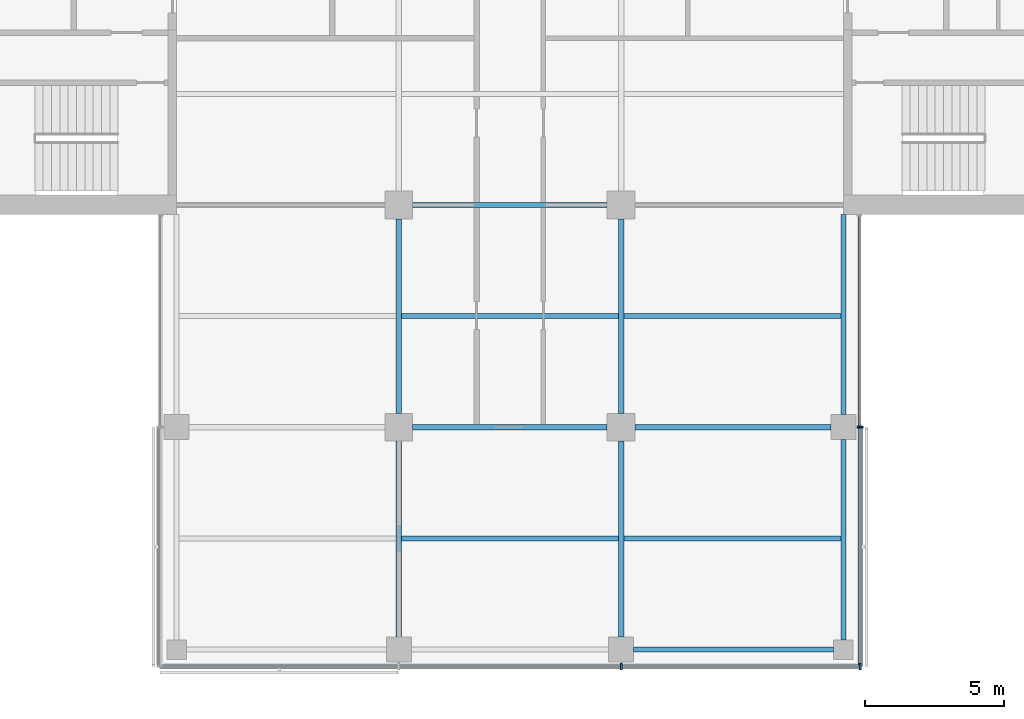
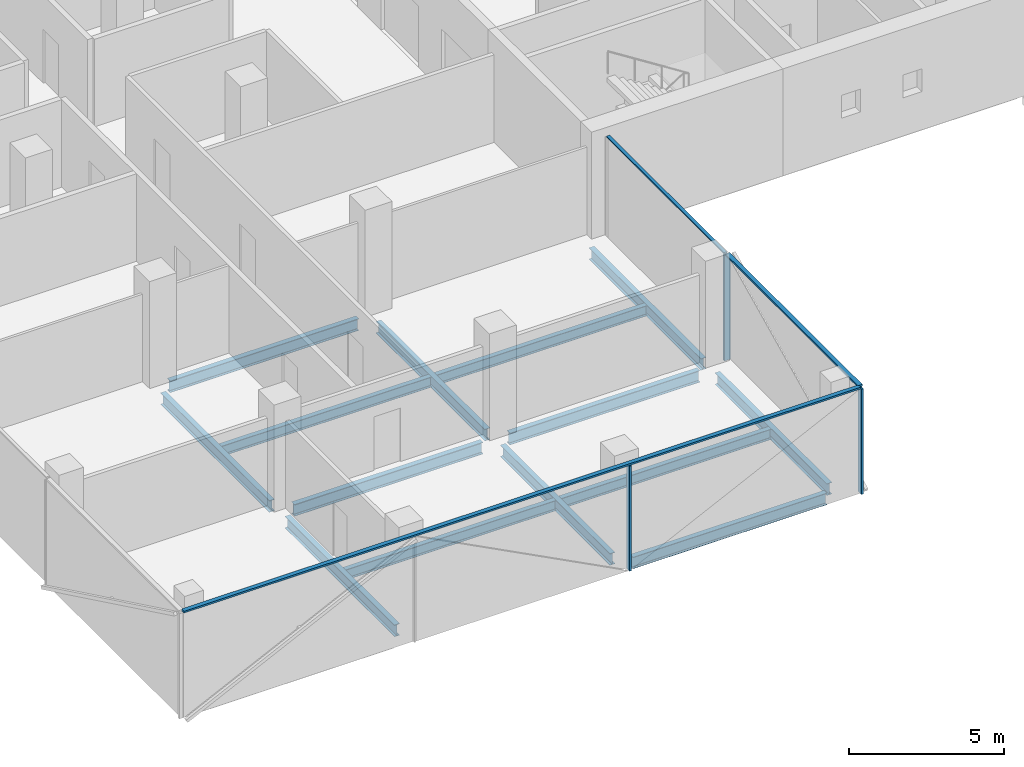
# One storey, part 5 of 22: 14 beams, 7 members, 3 elements without a shape of their own.
"""IFC4 building model written with IfcOpenShell, lengths in metres."""

import ifcopenshell
import ifcopenshell.guid

model = None  # the IFC model being written
_history = None  # IfcOwnerHistory: only IFC2X3 demands one
_inside = {}  # id of a spatial element -> (the spatial element, [elements in it])
_under = {}  # id of a project, library or spatial element -> (it, [spatial elements below it])
_declared = {}  # id of a project -> (the project, [libraries it declares])
_typed = {}  # id of a type object -> (the type object, [elements of that type])
_made_of = {}  # id of a material, layer set ... -> (it, [elements and type objects made of it])


def new_model(schema):
    """Start an empty IFC model of exactly this schema.

    Asked for "IFC4X3", IfcOpenShell would pick the latest addendum, in which some entities
    have other attributes; the version numbers below select the first issue.
    IFC2X3 requires an IfcOwnerHistory on every rooted entity: one is made here for all.
    """
    global model, _history
    if schema == "IFC4X3":
        model = ifcopenshell.file(schema_version=(4, 3, 0, 0))
    else:
        model = ifcopenshell.file(schema=schema)
    _inside.clear()
    _under.clear()
    _declared.clear()
    _typed.clear()
    _made_of.clear()
    _history = None
    if model.schema == "IFC2X3":
        org = make("IfcOrganization", Name="unknown")
        user = make(
            "IfcPersonAndOrganization",
            ThePerson=make("IfcPerson", FamilyName="unknown"),
            TheOrganization=org,
        )
        app = make(
            "IfcApplication",
            ApplicationDeveloper=org,
            Version="unknown",
            ApplicationFullName="unknown",
            ApplicationIdentifier="unknown",
        )
        _history = make(
            "IfcOwnerHistory",
            OwningUser=user,
            OwningApplication=app,
            ChangeAction="ADDED",
            CreationDate=0,
        )
    return model


def make(cls, **values):
    """One entity of the class cls with the attributes given. An attribute that is None is left unset."""
    return model.create_entity(
        cls, **{name: value for name, value in values.items() if value is not None}
    )


def rooted(cls, **values):
    """An entity with a GlobalId (a new one), such as an element, a storey or a relation."""
    return make(cls, GlobalId=ifcopenshell.guid.new(), OwnerHistory=_history, **values)


def si_unit(unit_type, name, prefix=None):
    """IfcSIUnit, for example si_unit("LENGTHUNIT", "METRE", prefix="MILLI")."""
    return make("IfcSIUnit", UnitType=unit_type, Prefix=prefix, Name=name)


def assignment(units):
    """IfcUnitAssignment: the units of a project."""
    return None if units is None else make("IfcUnitAssignment", Units=units)


def point(xyz):
    """IfcCartesianPoint."""
    return None if xyz is None else make("IfcCartesianPoint", Coordinates=xyz)


def direction(xyz):
    """IfcDirection."""
    return None if xyz is None else make("IfcDirection", DirectionRatios=xyz)


def frame(location, z_axis=None, x_axis=None):
    """IfcAxis2Placement3D, a coordinate frame: its origin and axes. An axis left out is left unset."""
    return make(
        "IfcAxis2Placement3D",
        Location=point(location),
        Axis=direction(z_axis),
        RefDirection=direction(x_axis),
    )


def frame_2d(location, x_axis=None):
    """IfcAxis2Placement2D, a coordinate frame in the plane: its origin and x axis."""
    return make(
        "IfcAxis2Placement2D", Location=point(location), RefDirection=direction(x_axis)
    )


def origin():
    """The frame at (0, 0, 0) with its axes left unset."""
    return frame((0.0, 0.0, 0.0))


def origin_2d():
    """The frame at (0, 0) in the plane with its x axis left unset."""
    return frame_2d((0.0, 0.0))


def place(relative_to, where):
    """IfcLocalPlacement: puts the frame where relative to a parent placement (None: the world)."""
    return make(
        "IfcLocalPlacement", PlacementRelTo=relative_to, RelativePlacement=where
    )


def context(
    kind, dimensions, precision=None, world=None, true_north=None, identifier=None
):
    """IfcGeometricRepresentationContext, for example the 3D "Model" context."""
    return make(
        "IfcGeometricRepresentationContext",
        ContextIdentifier=identifier,
        ContextType=kind,
        CoordinateSpaceDimension=dimensions,
        Precision=precision,
        WorldCoordinateSystem=world,
        TrueNorth=true_north,
    )


def subcontext(parent, identifier, kind, view, scale=None):
    """IfcGeometricRepresentationSubContext, for example "Body" below "Model"."""
    return make(
        "IfcGeometricRepresentationSubContext",
        ContextIdentifier=identifier,
        ContextType=kind,
        ParentContext=parent,
        TargetScale=scale,
        TargetView=view,
    )


def project(units=None, contexts=None):
    """IfcProject with its units and contexts."""
    return rooted(
        "IfcProject",
        Name="project",
        RepresentationContexts=contexts,
        UnitsInContext=assignment(units),
    )


def spatial(cls, under=None, at=None, **own):
    """A site, building, storey or space (cls), placed at a placement, below another one or the project."""
    s = rooted(cls, ObjectPlacement=at, **own)
    if under is not None:
        _under.setdefault(under.id(), (under, []))[1].append(s)
    return s


def profile(cls, at=None, kind="AREA", **sizes):
    """A parametric profile (cls). Its sizes go by their IFC names, for example OverallWidth=200.0."""
    return make(cls, ProfileType=kind, Position=at, **sizes)


def rectangle(**sizes):
    """IfcRectangleProfileDef."""
    return profile("IfcRectangleProfileDef", **sizes)


def i_section(**sizes):
    """IfcIShapeProfileDef."""
    return profile("IfcIShapeProfileDef", **sizes)


def extrude(swept, where, along, depth):
    """IfcExtrudedAreaSolid: the profile swept, set in the frame where, extruded along a direction by depth."""
    return make(
        "IfcExtrudedAreaSolid",
        SweptArea=swept,
        Position=where,
        ExtrudedDirection=direction(along),
        Depth=depth,
    )


def shape(context_of_items, identifier, shape_type, items):
    """IfcShapeRepresentation: the items that make up one representation, for example the "Body"."""
    return make(
        "IfcShapeRepresentation",
        ContextOfItems=context_of_items,
        RepresentationIdentifier=identifier,
        RepresentationType=shape_type,
        Items=items,
    )


def material(Name=None, Category=None):
    """IfcMaterial."""
    return make("IfcMaterial", Name=Name, Category=Category)


def material_profile(
    of_material, cross_section, Name=None, Category=None, Priority=None
):
    """IfcMaterialProfile: a cross section and its material."""
    return make(
        "IfcMaterialProfile",
        Name=Name,
        Material=of_material,
        Profile=cross_section,
        Priority=Priority,
        Category=Category,
    )


def profile_set(profiles, Name=None, composite=None):
    """IfcMaterialProfileSet."""
    return make(
        "IfcMaterialProfileSet",
        Name=Name,
        MaterialProfiles=profiles,
        CompositeProfile=composite,
    )


def made_of(thing, what):
    """Note that an element or type object is made of a material, layer set ...; save() writes the relation."""
    if what is not None:
        _made_of.setdefault(what.id(), (what, []))[1].append(thing)
    return thing


def type_object(cls, material=None, **own):
    """A type object (cls), such as IfcWallType, which elements share."""
    return made_of(rooted(cls, **own), material)


def element(
    cls,
    number,
    at=None,
    inside=None,
    cuts=None,
    type_object=None,
    material=None,
    context=None,
    identifier="Body",
    shape_type=None,
    held_by="IfcProductDefinitionShape",
    body=None,
    shapes=None,
    **own,
):
    """One element of the class cls, such as IfcWall. Its Tag is "e" and its number.

    at: its placement. inside: the storey or other place that contains it. cuts: it is an
    opening in that element (IfcRelVoidsElement). A single representation is given by context,
    identifier, shape_type and body (its items); several are given by shapes. held_by: the class
    of the entity that holds the representations. save() writes the other relations.
    """
    e = rooted(cls, Tag="e%d" % number, ObjectPlacement=at, **own)
    if body is not None:
        shapes = [shape(context, identifier, shape_type, body)]
    if shapes is not None:
        e.Representation = make(held_by, Representations=shapes)
    if inside is not None:
        _inside.setdefault(inside.id(), (inside, []))[1].append(e)
    if cuts is not None:
        rooted(
            "IfcRelVoidsElement", RelatingBuildingElement=cuts, RelatedOpeningElement=e
        )
    if type_object is not None:
        _typed.setdefault(type_object.id(), (type_object, []))[1].append(e)
    return made_of(e, material)


def aggregate(whole, parts):
    """IfcRelAggregates: a whole, such as a stair, and the parts it consists of."""
    return rooted("IfcRelAggregates", RelatingObject=whole, RelatedObjects=parts)


def save(model, path):
    """Write the relations noted so far, then the file.

    IfcRelAggregates (storeys below a building ...), IfcRelContainedInSpatialStructure (elements
    in a storey), IfcRelDefinesByType, IfcRelAssociatesMaterial and IfcRelDeclares: one each for
    every whole, place, type object, material and project.
    """
    for whole, parts in _under.values():
        aggregate(whole, parts)
    for where, things in _inside.values():
        rooted(
            "IfcRelContainedInSpatialStructure",
            RelatedElements=things,
            RelatingStructure=where,
        )
    for kind, things in _typed.values():
        rooted("IfcRelDefinesByType", RelatedObjects=things, RelatingType=kind)
    for what, things in _made_of.values():
        rooted("IfcRelAssociatesMaterial", RelatedObjects=things, RelatingMaterial=what)
    for by, libraries in _declared.values():
        rooted("IfcRelDeclares", RelatingContext=by, RelatedDefinitions=libraries)
    model.write(path)


model = new_model("IFC4")

# Units and contexts
model_context = context("Model", 3, precision=1e-05, world=origin(), true_north=direction((0.0, 1.0)))
body_context = subcontext(model_context, "Body", "Model", "MODEL_VIEW")
ifc_project = project(units=[si_unit("LENGTHUNIT", "METRE"), si_unit("AREAUNIT", "SQUARE_METRE"), si_unit("VOLUMEUNIT", "CUBIC_METRE"), si_unit("PLANEANGLEUNIT", "RADIAN"), si_unit("MASSUNIT", "GRAM", prefix="KILO")], contexts=[model_context])

# Site, building, storey
site_placement = place(None, origin())
site = spatial("IfcSite", under=ifc_project, at=site_placement, CompositionType="ELEMENT")
building_placement = place(site_placement, origin())
building = spatial("IfcBuilding", under=site, at=building_placement, Name="Crosswind Convention Tower", CompositionType="ELEMENT")
storey_placement = place(building_placement, frame((0.0, 0.0, 129.5)))
storey = spatial("IfcBuildingStorey", under=building, at=storey_placement, Name="L26", CompositionType="ELEMENT", Elevation=129.5)

# Beams
ifc_material_1 = material(Name="Steel S355", Category="steel")
ifc_material_profile_1 = material_profile(ifc_material_1, i_section(OverallWidth=0.18994140625, OverallDepth=0.45361328125, WebThickness=0.008544921875, FlangeThickness=0.0126953125, FilletRadius=0.01025390625, at=origin_2d()), Name="UB 457x191x67")
ifc_profile_set_1 = profile_set([ifc_material_profile_1], Name="Steel S355")
beam_type_1 = type_object("IfcBeamType", Name="Edge beam UB 457x191x67", PredefinedType="SPANDREL", material=ifc_profile_set_1)
for number, where, z_axis, x_axis, name in (
    (1, (129.449951171875, 72.0, -0.52685546875), (1.0, 0.0, 0.0), (0.0, 1.0, 0.0), "B16 L26 edge beam 14"),
    (2, (137.0, 72.35009765625, -0.52685546875), (0.0, 1.0, 0.0), (-1.0, 0.0, 0.0), "B16 L26 edge beam 16"),
    (3, (137.0, 80.449951171875, -0.52685546875), (0.0, 1.0, 0.0), (-1.0, 0.0, 0.0), "B16 L26 edge beam 17"),
):
    element("IfcBeam", number, at=place(storey_placement, frame(where, z_axis=z_axis, x_axis=x_axis)), inside=storey, type_object=beam_type_1, Name=name, PredefinedType="SPANDREL", context=body_context, shape_type="SweptSolid", body=[
        extrude(i_section(OverallWidth=0.18994140625, OverallDepth=0.45361328125, WebThickness=0.008544921875, FlangeThickness=0.0126953125, FilletRadius=0.01025390625, at=origin_2d()), origin(), (0.0, 0.0, 1.0), 7.199951171875),
    ])
ifc_material_profile_2 = material_profile(ifc_material_1, i_section(OverallWidth=0.19140625, OverallDepth=0.460205078125, WebThickness=0.010009765625, FlangeThickness=0.01611328125, FilletRadius=0.01025390625, at=origin_2d()), Name="UB 457x191x82")
ifc_profile_set_2 = profile_set([ifc_material_profile_2], Name="Steel S355")
beam_type_2 = type_object("IfcBeamType", Name="Girder UB 457x191x82", PredefinedType="BEAM", material=ifc_profile_set_2)
beam_1_placement = place(storey_placement, frame((121.0, 72.449951171875, -0.530029296875), z_axis=(0.0, 1.0, 0.0), x_axis=(-1.0, 0.0, 0.0)))
element("IfcBeam", 4, at=beam_1_placement, inside=storey, type_object=beam_type_2, Name="B3 L26 girder 3", PredefinedType="BEAM", context=body_context, shape_type="SweptSolid", body=[
    extrude(i_section(OverallWidth=0.19140625, OverallDepth=0.460205078125, WebThickness=0.010009765625, FlangeThickness=0.01611328125, FilletRadius=0.01025390625, at=origin_2d()), origin(), (0.0, 0.0, 1.0), 7.050048828125),
])
for number, where, z_axis, x_axis, name in (
    (5, (121.0, 80.5, -0.530029296875), (0.0, 1.0, 0.0), (-1.0, 0.0, 0.0), "B3 L26 girder 4"),
    (6, (121.5, 80.0, -0.530029296875), (1.0, 0.0, 0.0), (0.0, 1.0, 0.0), "B3 L26 girder 10"),
    (7, (121.5, 88.0, -0.530029296875), (1.0, 0.0, 0.0), (0.0, 1.0, 0.0), "B3 L26 girder 11"),
):
    element("IfcBeam", number, at=place(storey_placement, frame(where, z_axis=z_axis, x_axis=x_axis)), inside=storey, type_object=beam_type_2, Name=name, PredefinedType="BEAM", context=body_context, shape_type="SweptSolid", body=[
        extrude(i_section(OverallWidth=0.19140625, OverallDepth=0.460205078125, WebThickness=0.010009765625, FlangeThickness=0.01611328125, FilletRadius=0.01025390625, at=origin_2d()), origin(), (0.0, 0.0, 1.0), 7.0),
    ])
beam_2_placement = place(storey_placement, frame((129.0, 72.449951171875, -0.530029296875), z_axis=(0.0, 1.0, 0.0), x_axis=(-1.0, 0.0, 0.0)))
element("IfcBeam", 8, at=beam_2_placement, inside=storey, type_object=beam_type_2, Name="B3 L26 girder 16", PredefinedType="BEAM", context=body_context, shape_type="SweptSolid", body=[
    extrude(i_section(OverallWidth=0.19140625, OverallDepth=0.460205078125, WebThickness=0.010009765625, FlangeThickness=0.01611328125, FilletRadius=0.01025390625, at=origin_2d()), origin(), (0.0, 0.0, 1.0), 7.050048828125),
])
beam_3_placement = place(storey_placement, frame((129.0, 80.5, -0.530029296875), z_axis=(0.0, 1.0, 0.0), x_axis=(-1.0, 0.0, 0.0)))
element("IfcBeam", 9, at=beam_3_placement, inside=storey, type_object=beam_type_2, Name="B3 L26 girder 17", PredefinedType="BEAM", context=body_context, shape_type="SweptSolid", body=[
    extrude(i_section(OverallWidth=0.19140625, OverallDepth=0.460205078125, WebThickness=0.010009765625, FlangeThickness=0.01611328125, FilletRadius=0.01025390625, at=origin_2d()), origin(), (0.0, 0.0, 1.0), 7.0),
])
beam_4_placement = place(storey_placement, frame((129.5, 80.0, -0.530029296875), z_axis=(1.0, 0.0, 0.0), x_axis=(0.0, 1.0, 0.0)))
element("IfcBeam", 10, at=beam_4_placement, inside=storey, type_object=beam_type_2, Name="B3 L26 girder 23", PredefinedType="BEAM", context=body_context, shape_type="SweptSolid", body=[
    extrude(i_section(OverallWidth=0.19140625, OverallDepth=0.460205078125, WebThickness=0.010009765625, FlangeThickness=0.01611328125, FilletRadius=0.01025390625, at=origin_2d()), origin(), (0.0, 0.0, 1.0), 7.050048828125),
])

# Curtain wall, member
ifc_material_2 = material(Name="Aluminium unitised curtain wall", Category="aluminium")
curtain_wall_type_1 = type_object("IfcCurtainWallType", Name="CORE END SLOT WALL 160", PredefinedType="USERDEFINED", material=ifc_material_2)
curtain_wall_1_placement = place(storey_placement, origin())
curtain_wall_1 = element("IfcCurtainWall", 11, at=curtain_wall_1_placement, inside=storey, type_object=curtain_wall_type_1, Name="CW6 L26 S-E.1-2 slot", ObjectType="UNITISED", PredefinedType="USERDEFINED")
ifc_material_3 = material(Name="Aluminium mullion", Category="aluminium")
ifc_material_profile_3 = material_profile(ifc_material_3, rectangle(XDim=0.159912109375, YDim=0.050048828125, at=origin_2d()), Name="AL 160X50")
ifc_profile_set_3 = profile_set([ifc_material_profile_3], Name="Aluminium mullion")
member_type_1 = type_object("IfcMemberType", Name="MULLION 50X160", PredefinedType="MULLION", material=ifc_profile_set_3)
member_1_placement = place(storey_placement, frame((137.580078125, 80.02490234375, -0.300048828125), z_axis=(0.0, 0.0, 1.0), x_axis=(1.0, 0.0, 0.0)))
member_1 = element("IfcMember", 12, at=member_1_placement, type_object=member_type_1, Name="CW6 mullion 1", PredefinedType="MULLION", context=body_context, shape_type="SweptSolid", body=[
    extrude(rectangle(XDim=0.159912109375, YDim=0.050048828125, at=origin_2d()), origin(), (0.0, 0.0, 1.0), 4.150146484375),
])

# Curtain wall, members
curtain_wall_type_2 = type_object("IfcCurtainWallType", Name="OFFICE UNITISED WALL 220", PredefinedType="USERDEFINED", material=ifc_material_2)
curtain_wall_2_placement = place(storey_placement, origin())
curtain_wall_2 = element("IfcCurtainWall", 13, at=curtain_wall_2_placement, inside=storey, type_object=curtain_wall_type_2, Name="CW3 L26 S-TIP 1", ObjectType="UNITISED", PredefinedType="USERDEFINED")
ifc_material_profile_4 = material_profile(ifc_material_3, rectangle(XDim=0.219970703125, YDim=0.070068359375, at=origin_2d()), Name="AL 220X70")
ifc_profile_set_4 = profile_set([ifc_material_profile_4], Name="Aluminium mullion")
member_type_2 = type_object("IfcMemberType", Name="MULLION 70X220", PredefinedType="MULLION", material=ifc_profile_set_4)
member_2_placement = place(storey_placement, frame((129.0, 71.389892578125, -0.300048828125), z_axis=(0.0, 0.0, 1.0), x_axis=(0.0, -1.0, 0.0)))
member_2 = element("IfcMember", 14, at=member_2_placement, type_object=member_type_2, Name="CW3 mullion 3", PredefinedType="MULLION", context=body_context, shape_type="SweptSolid", body=[
    extrude(rectangle(XDim=0.219970703125, YDim=0.070068359375, at=origin_2d()), origin(), (0.0, 0.0, 1.0), 4.130126953125),
])
member_3_placement = place(storey_placement, frame((137.610107421875, 71.389892578125, -0.300048828125), z_axis=(0.0, 0.0, 1.0), x_axis=(0.0, -1.0, 0.0)))
member_3 = element("IfcMember", 15, at=member_3_placement, type_object=member_type_2, Name="CW3 mullion 4", PredefinedType="MULLION", context=body_context, shape_type="SweptSolid", body=[
    extrude(rectangle(XDim=0.219970703125, YDim=0.070068359375, at=origin_2d()), origin(), (0.0, 0.0, 1.0), 4.130126953125),
])

# Curtain wall, member
curtain_wall_3_placement = place(storey_placement, origin())
curtain_wall_3 = element("IfcCurtainWall", 16, at=curtain_wall_3_placement, inside=storey, type_object=curtain_wall_type_2, Name="CW3 L26 S-E 1", ObjectType="UNITISED", PredefinedType="USERDEFINED")
member_4_placement = place(storey_placement, frame((137.610107421875, 80.0, -0.300048828125), z_axis=(0.0, 0.0, 1.0), x_axis=(1.0, 0.0, 0.0)))
member_4 = element("IfcMember", 17, at=member_4_placement, type_object=member_type_2, Name="CW3 mullion 2", PredefinedType="MULLION", context=body_context, shape_type="SweptSolid", body=[
    extrude(rectangle(XDim=0.219970703125, YDim=0.070068359375, at=origin_2d()), origin(), (0.0, 0.0, 1.0), 4.130126953125),
])

# Beams
ifc_material_profile_5 = material_profile(ifc_material_1, i_section(OverallWidth=0.177734375, OverallDepth=0.406494140625, WebThickness=0.0078125, FlangeThickness=0.0126953125, FilletRadius=0.01025390625, at=origin_2d()), Name="UB 406x178x60")
ifc_profile_set_5 = profile_set([ifc_material_profile_5], Name="Steel S355")
beam_type_3 = type_object("IfcBeamType", Name="Secondary beam UB 406x178x60", PredefinedType="JOIST", material=ifc_profile_set_5)
for number, where, z_axis, x_axis, name in (
    (18, (121.095703125, 76.0, -0.503173828125), (1.0, 0.0, 0.0), (0.0, 1.0, 0.0), "B10 L26 secondary beam 11"),
    (19, (121.095703125, 84.0, -0.503173828125), (1.0, 0.0, 0.0), (0.0, 1.0, 0.0), "B10 L26 secondary beam 12"),
):
    element("IfcBeam", number, at=place(storey_placement, frame(where, z_axis=z_axis, x_axis=x_axis)), inside=storey, type_object=beam_type_3, Name=name, PredefinedType="JOIST", context=body_context, shape_type="SweptSolid", body=[
        extrude(i_section(OverallWidth=0.177734375, OverallDepth=0.406494140625, WebThickness=0.0078125, FlangeThickness=0.0126953125, FilletRadius=0.01025390625, at=origin_2d()), origin(), (0.0, 0.0, 1.0), 7.80859375),
    ])
for number, where, z_axis, x_axis, name in (
    (20, (129.095703125, 76.0, -0.503173828125), (1.0, 0.0, 0.0), (0.0, 1.0, 0.0), "B10 L26 secondary beam 18"),
    (21, (129.095703125, 84.0, -0.503173828125), (1.0, 0.0, 0.0), (0.0, 1.0, 0.0), "B10 L26 secondary beam 19"),
):
    element("IfcBeam", number, at=place(storey_placement, frame(where, z_axis=z_axis, x_axis=x_axis)), inside=storey, type_object=beam_type_3, Name=name, PredefinedType="JOIST", context=body_context, shape_type="SweptSolid", body=[
        extrude(i_section(OverallWidth=0.177734375, OverallDepth=0.406494140625, WebThickness=0.0078125, FlangeThickness=0.0126953125, FilletRadius=0.01025390625, at=origin_2d()), origin(), (0.0, 0.0, 1.0), 7.809326171875),
    ])

# Member
ifc_material_4 = material(Name="Aluminium transom", Category="aluminium")
ifc_material_profile_6 = material_profile(ifc_material_4, rectangle(XDim=0.1201171875, YDim=0.050048828125, at=origin_2d()), Name="AL 120X50")
ifc_profile_set_6 = profile_set([ifc_material_profile_6], Name="Aluminium transom")
member_type_3 = type_object("IfcMemberType", Name="TRANSOM 50X120", PredefinedType="USERDEFINED", material=ifc_profile_set_6)
member_5_placement = place(storey_placement, frame((137.580078125, 80.050048828125, 3.875), z_axis=(0.0, 1.0, 0.0), x_axis=(-1.0, 0.0, 0.0)))
member_5 = element("IfcMember", 22, at=member_5_placement, type_object=member_type_3, Name="CW6 transom", ObjectType="TRANSOM", PredefinedType="USERDEFINED", context=body_context, shape_type="SweptSolid", body=[
    extrude(rectangle(XDim=0.1201171875, YDim=0.050048828125, at=origin_2d()), origin(), (0.0, 0.0, 1.0), 7.550048828125),
])

aggregate(curtain_wall_1, [member_1, member_5])

ifc_material_profile_7 = material_profile(ifc_material_4, rectangle(XDim=0.159912109375, YDim=0.070068359375, at=origin_2d()), Name="AL 160X70")
ifc_profile_set_7 = profile_set([ifc_material_profile_7], Name="Aluminium transom")
member_type_4 = type_object("IfcMemberType", Name="TRANSOM 70X160", PredefinedType="USERDEFINED", material=ifc_profile_set_7)
member_6_placement = place(storey_placement, frame((112.425048828125, 71.389892578125, 3.864990234375), z_axis=(1.0, 0.0, 0.0), x_axis=(0.0, 1.0, 0.0)))
member_6 = element("IfcMember", 23, at=member_6_placement, type_object=member_type_4, Name="CW3 transom", ObjectType="TRANSOM", PredefinedType="USERDEFINED", context=body_context, shape_type="SweptSolid", body=[
    extrude(rectangle(XDim=0.159912109375, YDim=0.070068359375, at=origin_2d()), origin(), (0.0, 0.0, 1.0), 25.14990234375),
])

aggregate(curtain_wall_2, [member_2, member_3, member_6])

member_7_placement = place(storey_placement, frame((137.610107421875, 71.425048828125, 3.864990234375), z_axis=(0.0, 1.0, 0.0), x_axis=(-1.0, 0.0, 0.0)))
member_7 = element("IfcMember", 24, at=member_7_placement, type_object=member_type_4, Name="CW3 transom", ObjectType="TRANSOM", PredefinedType="USERDEFINED", context=body_context, shape_type="SweptSolid", body=[
    extrude(rectangle(XDim=0.159912109375, YDim=0.070068359375, at=origin_2d()), origin(), (0.0, 0.0, 1.0), 8.5400390625),
])

aggregate(curtain_wall_3, [member_4, member_7])

save(model, "model.ifc")
